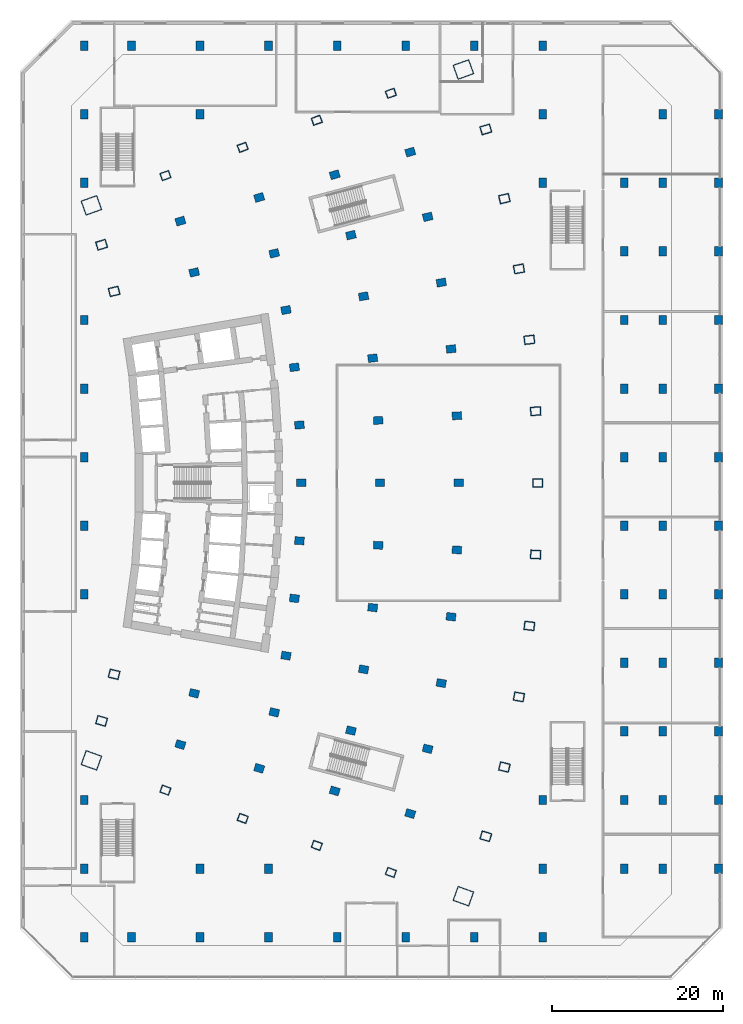
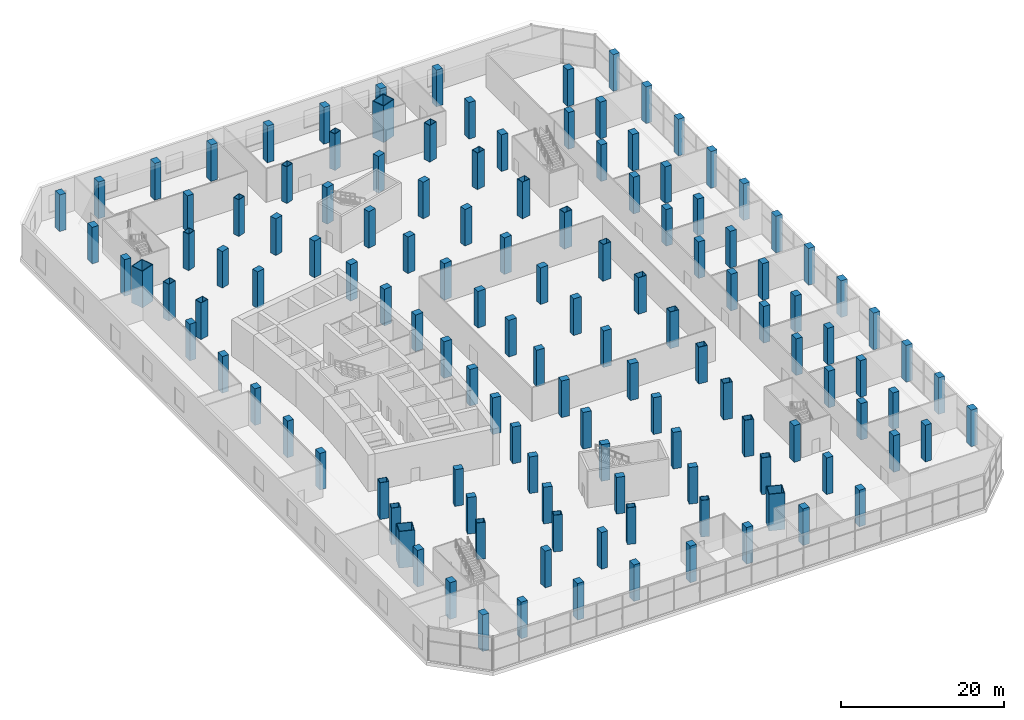
# One storey, part 1 of 26: 131 columns.
"""IFC4 building model written with IfcOpenShell, lengths in metres."""

from ifc_helpers import new_model, si_unit, direction, frame, origin, origin_2d, place, context, subcontext, project, spatial, rectangle, hollow_rectangle, extrude, material, material_profile, profile_set, type_object, element, save


model = new_model("IFC4")

# Units and contexts
model_context = context("Model", 3, precision=1e-05, world=origin(), true_north=direction((0.0, 1.0)))
body_context = subcontext(model_context, "Body", "Model", "MODEL_VIEW")
ifc_project = project(units=[si_unit("LENGTHUNIT", "METRE"), si_unit("AREAUNIT", "SQUARE_METRE"), si_unit("VOLUMEUNIT", "CUBIC_METRE"), si_unit("PLANEANGLEUNIT", "RADIAN"), si_unit("MASSUNIT", "GRAM", prefix="KILO")], contexts=[model_context])

# Site, building, storey
site_placement = place(None, origin())
site = spatial("IfcSite", under=ifc_project, at=site_placement, CompositionType="ELEMENT")
building_placement = place(site_placement, origin())
building = spatial("IfcBuilding", under=site, at=building_placement, Name="Alderwake Tower", CompositionType="ELEMENT")
storey_placement = place(building_placement, frame((0.0, 0.0, 8.0)))
storey = spatial("IfcBuildingStorey", under=building, at=storey_placement, Name="L01", CompositionType="ELEMENT", Elevation=8.0)

# Columns
ifc_material_1 = material(Name="Steel ASTM A572 Grade 50 concrete filled C70/85", Category="concrete")
ifc_material_profile_1 = material_profile(ifc_material_1, hollow_rectangle(XDim=0.89990234375, YDim=1.10009765625, WallThickness=0.06005859375, at=origin_2d()), Name="BOX 1100X900X60")
ifc_profile_set_1 = profile_set([ifc_material_profile_1], Name="Steel ASTM A572 Grade 50 concrete filled C70/85")
column_type_1 = type_object("IfcColumnType", Name="End column Z1", PredefinedType="COLUMN", material=ifc_profile_set_1)
for number, where, z_axis, x_axis, name in (
    (1, (19.965576171875, 25.1484375, 0.0), (0.0, 0.0, 1.0), (0.337584879279, 0.9412950915, 0.0), "Column R01-C1"),
    (2, (28.983642578125, 21.856689453125, 0.0), (0.0, 0.0, 1.0), (0.338026774049, 0.941136493834, 0.0), "Column R01-C2"),
    (3, (37.6259765625, 18.701904296875, 0.0), (0.0, 0.0, 1.0), (0.338384834858, 0.941007812687, 0.0), "Column R01-C3"),
    (4, (46.268310546875, 15.547119140625, 0.0), (0.0, 0.0, 1.0), (0.338695224082, 0.940896139425, 0.0), "Column R01-C4"),
    (5, (19.965576171875, 96.8515625, 0.0), (0.0, 0.0, 1.0), (-0.337584879279, 0.9412950915, 0.0), "Column R13-C1"),
    (6, (28.983642578125, 100.143310546875, 0.0), (0.0, 0.0, 1.0), (-0.338026774049, 0.941136493834, 0.0), "Column R13-C2"),
    (7, (37.6259765625, 103.298095703125, 0.0), (0.0, 0.0, 1.0), (-0.338384834858, 0.941007812687, 0.0), "Column R13-C3"),
    (8, (46.268310546875, 106.452880859375, 0.0), (0.0, 0.0, 1.0), (-0.338695224082, 0.940896139425, 0.0), "Column R13-C4"),
):
    element("IfcColumn", number, at=place(storey_placement, frame(where, z_axis=z_axis, x_axis=x_axis)), inside=storey, type_object=column_type_1, Name=name, PredefinedType="COLUMN", context=body_context, shape_type="SweptSolid", body=[
        extrude(hollow_rectangle(XDim=0.89990234375, YDim=1.10009765625, WallThickness=0.06005859375, at=origin_2d()), origin(), (0.0, 0.0, 1.0), 5.5),
    ])
ifc_material_2 = material(Name="Concrete C70/85", Category="concrete")
ifc_material_profile_2 = material_profile(ifc_material_2, rectangle(XDim=0.89990234375, YDim=1.10009765625, at=origin_2d()), Name="RC 1100X900")
ifc_profile_set_2 = profile_set([ifc_material_profile_2], Name="Concrete C70/85")
column_type_2 = type_object("IfcColumnType", Name="Interior column Z1", PredefinedType="COLUMN", material=ifc_profile_set_2)
for number, where, z_axis, x_axis, name in (
    (9, (21.714599609375, 30.46240234375, 0.0), (0.0, 0.0, 1.0), (0.287549418125, 0.957765802342, 0.0), "Column R02-C1"),
    (10, (30.9091796875, 27.701904296875, 0.0), (0.0, 0.0, 1.0), (0.287549418125, 0.957765802342, 0.0), "Column R02-C2"),
    (11, (39.720703125, 25.056396484375, 0.0), (0.0, 0.0, 1.0), (0.287549418125, 0.957765802342, 0.0), "Column R02-C3"),
    (12, (48.5322265625, 22.410888671875, 0.0), (0.0, 0.0, 1.0), (0.287549418125, 0.957765802342, 0.0), "Column R02-C4"),
    (13, (23.322021484375, 36.444091796875, 0.0), (0.0, 0.0, 1.0), (0.231221547198, 0.972901123502, 0.0), "Column R03-C1"),
    (14, (32.661865234375, 34.224609375, 0.0), (0.0, 0.0, 1.0), (0.231221547198, 0.972901123502, 0.0), "Column R03-C2"),
    (15, (41.612548828125, 32.097412109375, 0.0), (0.0, 0.0, 1.0), (0.231221547198, 0.972901123502, 0.0), "Column R03-C3"),
    (16, (50.563232421875, 29.969970703125, 0.0), (0.0, 0.0, 1.0), (0.231221547198, 0.972901123502, 0.0), "Column R03-C4"),
    (17, (34.03125, 40.83837890625, 0.0), (0.0, 0.0, 1.0), (0.174108800747, 0.984726421654, 0.0), "Column R04-C2"),
    (18, (43.0908203125, 39.236572265625, 0.0), (0.0, 0.0, 1.0), (0.174108800747, 0.984726421654, 0.0), "Column R04-C3"),
    (19, (52.150390625, 37.634765625, 0.0), (0.0, 0.0, 1.0), (0.174108800747, 0.984726421654, 0.0), "Column R04-C4"),
    (20, (35.0126953125, 47.5205078125, 0.0), (0.0, 0.0, 1.0), (0.116402054316, 0.993202175668, 0.0), "Column R05-C2"),
    (21, (44.150390625, 46.44970703125, 0.0), (0.0, 0.0, 1.0), (0.116402054316, 0.993202175668, 0.0), "Column R05-C3"),
    (22, (53.28759765625, 45.37890625, 0.0), (0.0, 0.0, 1.0), (0.116402054316, 0.993202175668, 0.0), "Column R05-C4"),
    (23, (35.60302734375, 54.248779296875, 0.0), (0.0, 0.0, 1.0), (0.058301061284, 0.998299046505, 0.0), "Column R06-C2"),
    (24, (44.787353515625, 53.71240234375, 0.0), (0.0, 0.0, 1.0), (0.058299318924, 0.998299148258, 0.0), "Column R06-C3"),
    (25, (53.9716796875, 53.176025390625, 0.0), (0.0, 0.0, 1.0), (0.058301061284, 0.998299046505, 0.0), "Column R06-C4"),
    (26, (35.800048828125, 61.0, 0.0), (0.0, 0.0, 1.0), (0.0, 1.0, 0.0), "Column R07-C2"),
    (27, (45.0, 61.0, 0.0), (0.0, 0.0, 1.0), (0.0, 1.0, 0.0), "Column R07-C3"),
    (28, (54.199951171875, 61.0, 0.0), (0.0, 0.0, 1.0), (0.0, 1.0, 0.0), "Column R07-C4"),
    (29, (35.60302734375, 67.751220703125, 0.0), (0.0, 0.0, 1.0), (-0.058301061284, 0.998299046505, 0.0), "Column R08-C2"),
    (30, (44.787353515625, 68.28759765625, 0.0), (0.0, 0.0, 1.0), (-0.058299318924, 0.998299148258, 0.0), "Column R08-C3"),
    (31, (53.9716796875, 68.823974609375, 0.0), (0.0, 0.0, 1.0), (-0.058301061284, 0.998299046505, 0.0), "Column R08-C4"),
    (32, (35.0126953125, 74.4794921875, 0.0), (0.0, 0.0, 1.0), (-0.116402054316, 0.993202175668, 0.0), "Column R09-C2"),
    (33, (44.150390625, 75.55029296875, 0.0), (0.0, 0.0, 1.0), (-0.116402054316, 0.993202175668, 0.0), "Column R09-C3"),
    (34, (53.28759765625, 76.62109375, 0.0), (0.0, 0.0, 1.0), (-0.116402054316, 0.993202175668, 0.0), "Column R09-C4"),
    (35, (34.03125, 81.16162109375, 0.0), (0.0, 0.0, 1.0), (-0.174108800747, 0.984726421654, 0.0), "Column R10-C2"),
    (36, (43.0908203125, 82.763427734375, 0.0), (0.0, 0.0, 1.0), (-0.174108800747, 0.984726421654, 0.0), "Column R10-C3"),
    (37, (52.150390625, 84.365234375, 0.0), (0.0, 0.0, 1.0), (-0.174108800747, 0.984726421654, 0.0), "Column R10-C4"),
    (38, (23.322021484375, 85.555908203125, 0.0), (0.0, 0.0, 1.0), (-0.231221547198, 0.972901123502, 0.0), "Column R11-C1"),
    (39, (32.661865234375, 87.775390625, 0.0), (0.0, 0.0, 1.0), (-0.231221547198, 0.972901123502, 0.0), "Column R11-C2"),
    (40, (41.612548828125, 89.902587890625, 0.0), (0.0, 0.0, 1.0), (-0.231221547198, 0.972901123502, 0.0), "Column R11-C3"),
    (41, (50.563232421875, 92.030029296875, 0.0), (0.0, 0.0, 1.0), (-0.231221547198, 0.972901123502, 0.0), "Column R11-C4"),
    (42, (21.714599609375, 91.53759765625, 0.0), (0.0, 0.0, 1.0), (-0.287549418125, 0.957765802342, 0.0), "Column R12-C1"),
    (43, (30.9091796875, 94.298095703125, 0.0), (0.0, 0.0, 1.0), (-0.287549418125, 0.957765802342, 0.0), "Column R12-C2"),
    (44, (39.720703125, 96.943603515625, 0.0), (0.0, 0.0, 1.0), (-0.287549418125, 0.957765802342, 0.0), "Column R12-C3"),
    (45, (48.5322265625, 99.589111328125, 0.0), (0.0, 0.0, 1.0), (-0.287549418125, 0.957765802342, 0.0), "Column R12-C4"),
):
    element("IfcColumn", number, at=place(storey_placement, frame(where, z_axis=z_axis, x_axis=x_axis)), inside=storey, type_object=column_type_2, Name=name, PredefinedType="COLUMN", context=body_context, shape_type="SweptSolid", body=[
        extrude(rectangle(XDim=0.89990234375, YDim=1.10009765625, at=origin_2d()), origin(), (0.0, 0.0, 1.0), 5.5),
    ])
ifc_material_3 = material(Name="Steel ASTM A572 Grade 50 concrete filled C70/85", Category="concrete")
ifc_material_profile_3 = material_profile(ifc_material_3, hollow_rectangle(XDim=1.800048828125, YDim=2.0, WallThickness=0.090087890625, at=origin_2d()), Name="BOX 2000X1800X90")
ifc_profile_set_3 = profile_set([ifc_material_profile_3], Name="Steel ASTM A572 Grade 50 concrete filled C70/85")
column_type_3 = type_object("IfcColumnType", Name="Mega column Z1", PredefinedType="COLUMN", material=ifc_profile_set_3)
for number, where, z_axis, x_axis, name in (
    (46, (11.330810546875, 28.622802734375, 0.0), (0.0, 0.0, 1.0), (0.334130947791, 0.942526662609, 0.0), "Column R01-C0"),
    (47, (54.7294921875, 12.77587890625, 0.0), (0.0, 0.0, 1.0), (0.336995022772, 0.941506428351, 0.0), "Column R01-C5"),
    (48, (11.330810546875, 93.377197265625, 0.0), (0.0, 0.0, 1.0), (-0.334130947791, 0.942526662609, 0.0), "Column R13-C0"),
    (49, (54.7294921875, 109.22412109375, 0.0), (0.0, 0.0, 1.0), (-0.336995022772, 0.941506428351, 0.0), "Column R13-C5"),
):
    element("IfcColumn", number, at=place(storey_placement, frame(where, z_axis=z_axis, x_axis=x_axis)), inside=storey, type_object=column_type_3, Name=name, PredefinedType="COLUMN", context=body_context, shape_type="SweptSolid", body=[
        extrude(hollow_rectangle(XDim=1.800048828125, YDim=2.0, WallThickness=0.090087890625, at=origin_2d()), origin(), (0.0, 0.0, 1.0), 5.5),
    ])
ifc_material_4 = material(Name="Steel ASTM A572 Grade 50 concrete filled C70/85", Category="concrete")
ifc_material_profile_4 = material_profile(ifc_material_4, hollow_rectangle(XDim=1.0, YDim=1.199951171875, WallThickness=0.06005859375, at=origin_2d()), Name="BOX 1200X1000X60")
ifc_profile_set_4 = profile_set([ifc_material_profile_4], Name="Steel ASTM A572 Grade 50 concrete filled C70/85")
column_type_4 = type_object("IfcColumnType", Name="Perimeter column Z1", PredefinedType="COLUMN", material=ifc_profile_set_4)
for number, where, z_axis, x_axis, name in (
    (50, (12.520263671875, 33.222900390625, 0.0), (0.0, 0.0, 1.0), (0.287549418125, 0.957765802342, 0.0), "Column R02-C0"),
    (51, (57.343505859375, 19.765380859375, 0.0), (0.0, 0.0, 1.0), (0.287549418125, 0.957765802342, 0.0), "Column R02-C5"),
    (52, (13.982177734375, 38.6640625, 0.0), (0.0, 0.0, 1.0), (0.231221547198, 0.972901123502, 0.0), "Column R03-C0"),
    (53, (59.513916015625, 27.8427734375, 0.0), (0.0, 0.0, 1.0), (0.231221547198, 0.972901123502, 0.0), "Column R03-C5"),
    (54, (61.209716796875, 36.032958984375, 0.0), (0.0, 0.0, 1.0), (0.174108800747, 0.984726421654, 0.0), "Column R04-C5"),
    (55, (62.42529296875, 44.307861328125, 0.0), (0.0, 0.0, 1.0), (0.116402054316, 0.993202175668, 0.0), "Column R05-C5"),
    (56, (63.156005859375, 52.6396484375, 0.0), (0.0, 0.0, 1.0), (0.058301061284, 0.998299046505, 0.0), "Column R06-C5"),
    (57, (63.39990234375, 61.0, 0.0), (0.0, 0.0, 1.0), (0.0, 1.0, 0.0), "Column R07-C5"),
    (58, (63.156005859375, 69.3603515625, 0.0), (0.0, 0.0, 1.0), (-0.058301061284, 0.998299046505, 0.0), "Column R08-C5"),
    (59, (62.42529296875, 77.692138671875, 0.0), (0.0, 0.0, 1.0), (-0.116402054316, 0.993202175668, 0.0), "Column R09-C5"),
    (60, (61.209716796875, 85.967041015625, 0.0), (0.0, 0.0, 1.0), (-0.174108800747, 0.984726421654, 0.0), "Column R10-C5"),
    (61, (13.982177734375, 83.3359375, 0.0), (0.0, 0.0, 1.0), (-0.231221547198, 0.972901123502, 0.0), "Column R11-C0"),
    (62, (59.513916015625, 94.1572265625, 0.0), (0.0, 0.0, 1.0), (-0.231221547198, 0.972901123502, 0.0), "Column R11-C5"),
    (63, (12.520263671875, 88.777099609375, 0.0), (0.0, 0.0, 1.0), (-0.287549418125, 0.957765802342, 0.0), "Column R12-C0"),
    (64, (57.343505859375, 102.234619140625, 0.0), (0.0, 0.0, 1.0), (-0.287549418125, 0.957765802342, 0.0), "Column R12-C5"),
):
    element("IfcColumn", number, at=place(storey_placement, frame(where, z_axis=z_axis, x_axis=x_axis)), inside=storey, type_object=column_type_4, Name=name, PredefinedType="COLUMN", context=body_context, shape_type="SweptSolid", body=[
        extrude(hollow_rectangle(XDim=1.0, YDim=1.199951171875, WallThickness=0.06005859375, at=origin_2d()), origin(), (0.0, 0.0, 1.0), 5.5),
    ])
ifc_material_5 = material(Name="Concrete C70/85", Category="concrete")
ifc_material_profile_5 = material_profile(ifc_material_5, rectangle(XDim=0.89990234375, YDim=1.10009765625, at=origin_2d()), Name="RC 1100X900")
ifc_profile_set_5 = profile_set([ifc_material_profile_5], Name="Concrete C70/85")
column_type_5 = type_object("IfcColumnType", Name="Podium column", PredefinedType="COLUMN", material=ifc_profile_set_5)
for number, where, z_axis, x_axis, name in (
    (65, (10.5, 8.0, 0.0), (0.0, 0.0, 1.0), (1.0, 0.0, 0.0), "Column XW-YB"),
    (66, (10.5, 16.0, 0.0), (0.0, 0.0, 1.0), (1.0, 0.0, 0.0), "Column XW-YC"),
    (67, (10.5, 24.0, 0.0), (0.0, 0.0, 1.0), (1.0, 0.0, 0.0), "Column XW-YD"),
    (68, (10.5, 48.0, 0.0), (0.0, 0.0, 1.0), (1.0, 0.0, 0.0), "Column XW-YG"),
    (69, (10.5, 56.0, 0.0), (0.0, 0.0, 1.0), (1.0, 0.0, 0.0), "Column XW-YH"),
    (70, (10.5, 64.0, 0.0), (0.0, 0.0, 1.0), (1.0, 0.0, 0.0), "Column XW-YI"),
    (71, (10.5, 72.0, 0.0), (0.0, 0.0, 1.0), (1.0, 0.0, 0.0), "Column XW-YJ"),
    (72, (10.5, 80.0, 0.0), (0.0, 0.0, 1.0), (1.0, 0.0, 0.0), "Column XW-YK"),
    (73, (10.5, 96.0, 0.0), (0.0, 0.0, 1.0), (1.0, 0.0, 0.0), "Column XW-YM"),
    (74, (10.5, 104.0, 0.0), (0.0, 0.0, 1.0), (1.0, 0.0, 0.0), "Column XW-YN"),
    (75, (10.5, 112.0, 0.0), (0.0, 0.0, 1.0), (1.0, 0.0, 0.0), "Column XW-YO"),
    (76, (16.0, 8.0, 0.0), (0.0, 0.0, 1.0), (1.0, 0.0, 0.0), "Column X03-YB"),
    (77, (16.0, 112.0, 0.0), (0.0, 0.0, 1.0), (1.0, 0.0, 0.0), "Column X03-YO"),
    (78, (24.0, 8.0, 0.0), (0.0, 0.0, 1.0), (1.0, 0.0, 0.0), "Column X04-YB"),
    (79, (24.0, 16.0, 0.0), (0.0, 0.0, 1.0), (1.0, 0.0, 0.0), "Column X04-YC"),
    (80, (24.0, 104.0, 0.0), (0.0, 0.0, 1.0), (1.0, 0.0, 0.0), "Column X04-YN"),
    (81, (24.0, 112.0, 0.0), (0.0, 0.0, 1.0), (1.0, 0.0, 0.0), "Column X04-YO"),
    (82, (32.0, 8.0, 0.0), (0.0, 0.0, 1.0), (1.0, 0.0, 0.0), "Column X05-YB"),
    (83, (32.0, 16.0, 0.0), (0.0, 0.0, 1.0), (1.0, 0.0, 0.0), "Column X05-YC"),
    (84, (32.0, 112.0, 0.0), (0.0, 0.0, 1.0), (1.0, 0.0, 0.0), "Column X05-YO"),
    (85, (40.0, 8.0, 0.0), (0.0, 0.0, 1.0), (1.0, 0.0, 0.0), "Column X06-YB"),
    (86, (40.0, 112.0, 0.0), (0.0, 0.0, 1.0), (1.0, 0.0, 0.0), "Column X06-YO"),
    (87, (48.0, 8.0, 0.0), (0.0, 0.0, 1.0), (1.0, 0.0, 0.0), "Column X07-YB"),
    (88, (48.0, 112.0, 0.0), (0.0, 0.0, 1.0), (1.0, 0.0, 0.0), "Column X07-YO"),
    (89, (56.0, 8.0, 0.0), (0.0, 0.0, 1.0), (1.0, 0.0, 0.0), "Column X08-YB"),
    (90, (56.0, 112.0, 0.0), (0.0, 0.0, 1.0), (1.0, 0.0, 0.0), "Column X08-YO"),
    (91, (64.0, 8.0, 0.0), (0.0, 0.0, 1.0), (1.0, 0.0, 0.0), "Column X09-YB"),
    (92, (64.0, 16.0, 0.0), (0.0, 0.0, 1.0), (1.0, 0.0, 0.0), "Column X09-YC"),
    (93, (64.0, 24.0, 0.0), (0.0, 0.0, 1.0), (1.0, 0.0, 0.0), "Column X09-YD"),
    (94, (64.0, 96.0, 0.0), (0.0, 0.0, 1.0), (1.0, 0.0, 0.0), "Column X09-YM"),
    (95, (64.0, 104.0, 0.0), (0.0, 0.0, 1.0), (1.0, 0.0, 0.0), "Column X09-YN"),
    (96, (64.0, 112.0, 0.0), (0.0, 0.0, 1.0), (1.0, 0.0, 0.0), "Column X09-YO"),
    (97, (73.5, 16.0, 0.0), (0.0, 0.0, 1.0), (1.0, 0.0, 0.0), "Column XS1-YC"),
    (98, (73.5, 24.0, 0.0), (0.0, 0.0, 1.0), (1.0, 0.0, 0.0), "Column XS1-YD"),
    (99, (73.5, 32.0, 0.0), (0.0, 0.0, 1.0), (1.0, 0.0, 0.0), "Column XS1-YE"),
    (100, (73.5, 40.0, 0.0), (0.0, 0.0, 1.0), (1.0, 0.0, 0.0), "Column XS1-YF"),
    (101, (73.5, 48.0, 0.0), (0.0, 0.0, 1.0), (1.0, 0.0, 0.0), "Column XS1-YG"),
    (102, (73.5, 56.0, 0.0), (0.0, 0.0, 1.0), (1.0, 0.0, 0.0), "Column XS1-YH"),
    (103, (73.5, 64.0, 0.0), (0.0, 0.0, 1.0), (1.0, 0.0, 0.0), "Column XS1-YI"),
    (104, (73.5, 72.0, 0.0), (0.0, 0.0, 1.0), (1.0, 0.0, 0.0), "Column XS1-YJ"),
    (105, (73.5, 80.0, 0.0), (0.0, 0.0, 1.0), (1.0, 0.0, 0.0), "Column XS1-YK"),
    (106, (73.5, 88.0, 0.0), (0.0, 0.0, 1.0), (1.0, 0.0, 0.0), "Column XS1-YL"),
    (107, (73.5, 96.0, 0.0), (0.0, 0.0, 1.0), (1.0, 0.0, 0.0), "Column XS1-YM"),
    (108, (78.0, 16.0, 0.0), (0.0, 0.0, 1.0), (1.0, 0.0, 0.0), "Column XS2-YC"),
    (109, (78.0, 24.0, 0.0), (0.0, 0.0, 1.0), (1.0, 0.0, 0.0), "Column XS2-YD"),
    (110, (78.0, 32.0, 0.0), (0.0, 0.0, 1.0), (1.0, 0.0, 0.0), "Column XS2-YE"),
    (111, (78.0, 40.0, 0.0), (0.0, 0.0, 1.0), (1.0, 0.0, 0.0), "Column XS2-YF"),
    (112, (78.0, 48.0, 0.0), (0.0, 0.0, 1.0), (1.0, 0.0, 0.0), "Column XS2-YG"),
    (113, (78.0, 56.0, 0.0), (0.0, 0.0, 1.0), (1.0, 0.0, 0.0), "Column XS2-YH"),
    (114, (78.0, 64.0, 0.0), (0.0, 0.0, 1.0), (1.0, 0.0, 0.0), "Column XS2-YI"),
    (115, (78.0, 72.0, 0.0), (0.0, 0.0, 1.0), (1.0, 0.0, 0.0), "Column XS2-YJ"),
    (116, (78.0, 80.0, 0.0), (0.0, 0.0, 1.0), (1.0, 0.0, 0.0), "Column XS2-YK"),
    (117, (78.0, 88.0, 0.0), (0.0, 0.0, 1.0), (1.0, 0.0, 0.0), "Column XS2-YL"),
    (118, (78.0, 96.0, 0.0), (0.0, 0.0, 1.0), (1.0, 0.0, 0.0), "Column XS2-YM"),
    (119, (78.0, 104.0, 0.0), (0.0, 0.0, 1.0), (1.0, 0.0, 0.0), "Column XS2-YN"),
    (120, (84.5, 16.0, 0.0), (0.0, 0.0, 1.0), (1.0, 0.0, 0.0), "Column XE-YC"),
    (121, (84.5, 24.0, 0.0), (0.0, 0.0, 1.0), (1.0, 0.0, 0.0), "Column XE-YD"),
    (122, (84.5, 32.0, 0.0), (0.0, 0.0, 1.0), (1.0, 0.0, 0.0), "Column XE-YE"),
    (123, (84.5, 40.0, 0.0), (0.0, 0.0, 1.0), (1.0, 0.0, 0.0), "Column XE-YF"),
    (124, (84.5, 48.0, 0.0), (0.0, 0.0, 1.0), (1.0, 0.0, 0.0), "Column XE-YG"),
    (125, (84.5, 56.0, 0.0), (0.0, 0.0, 1.0), (1.0, 0.0, 0.0), "Column XE-YH"),
    (126, (84.5, 64.0, 0.0), (0.0, 0.0, 1.0), (1.0, 0.0, 0.0), "Column XE-YI"),
    (127, (84.5, 72.0, 0.0), (0.0, 0.0, 1.0), (1.0, 0.0, 0.0), "Column XE-YJ"),
    (128, (84.5, 80.0, 0.0), (0.0, 0.0, 1.0), (1.0, 0.0, 0.0), "Column XE-YK"),
    (129, (84.5, 88.0, 0.0), (0.0, 0.0, 1.0), (1.0, 0.0, 0.0), "Column XE-YL"),
    (130, (84.5, 96.0, 0.0), (0.0, 0.0, 1.0), (1.0, 0.0, 0.0), "Column XE-YM"),
    (131, (84.5, 104.0, 0.0), (0.0, 0.0, 1.0), (1.0, 0.0, 0.0), "Column XE-YN"),
):
    element("IfcColumn", number, at=place(storey_placement, frame(where, z_axis=z_axis, x_axis=x_axis)), inside=storey, type_object=column_type_5, Name=name, PredefinedType="COLUMN", context=body_context, shape_type="SweptSolid", body=[
        extrude(rectangle(XDim=0.89990234375, YDim=1.10009765625, at=origin_2d()), origin(), (0.0, 0.0, 1.0), 5.5),
    ])

save(model, "model.ifc")
